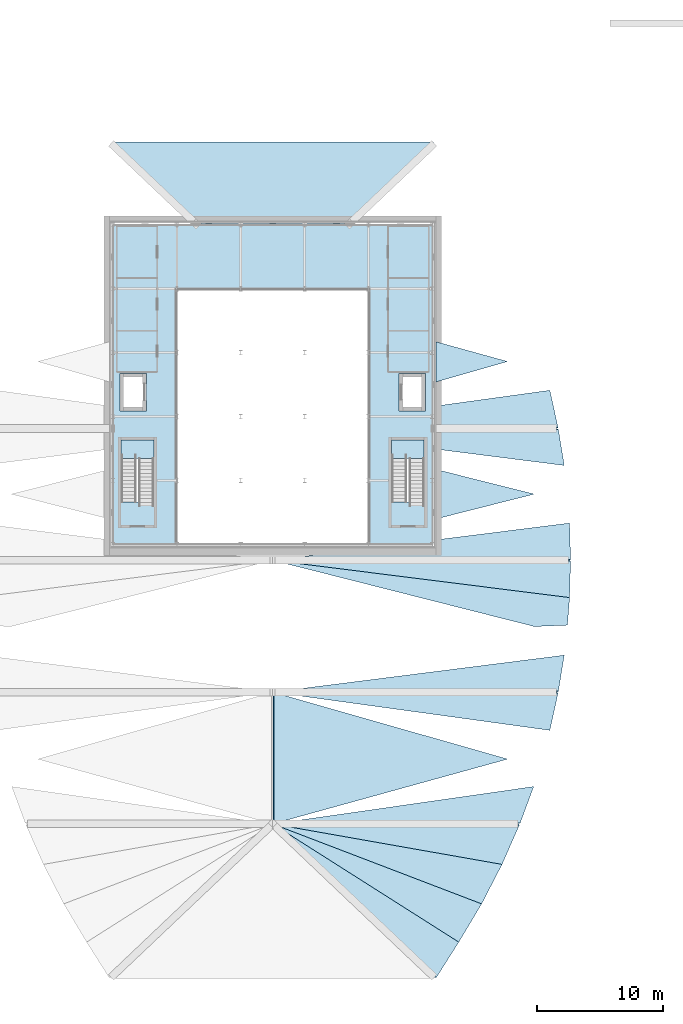
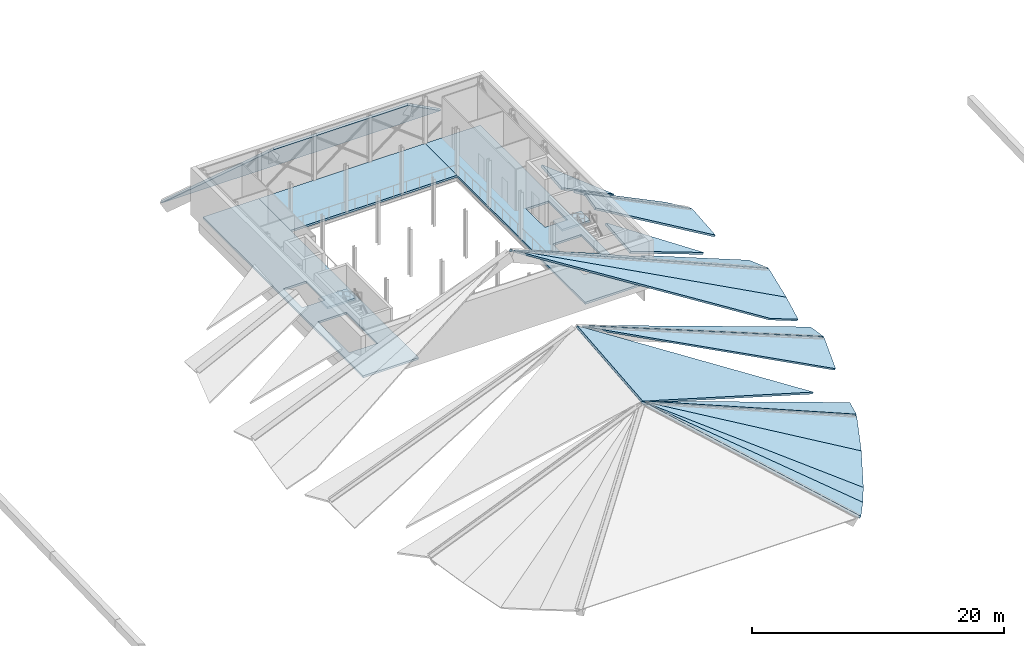
# One storey, part 4 of 7: 21 slabs, 2 elements without a shape of their own.
"""IFC4 building model written with IfcOpenShell, lengths in metres."""

from ifc_helpers import new_model, si_unit, direction, frame, origin, place, context, subcontext, project, spatial, polyline, outline, extrude, material, layer, layer_set, type_object, element, aggregate, save


model = new_model("IFC4")

# Units and contexts
model_context = context("Model", 3, precision=1e-05, world=origin(), true_north=direction((0.0, 1.0)))
body_context = subcontext(model_context, "Body", "Model", "MODEL_VIEW")
ifc_project = project(units=[si_unit("LENGTHUNIT", "METRE"), si_unit("AREAUNIT", "SQUARE_METRE"), si_unit("VOLUMEUNIT", "CUBIC_METRE"), si_unit("PLANEANGLEUNIT", "RADIAN"), si_unit("MASSUNIT", "GRAM", prefix="KILO")], contexts=[model_context])

# Site, building, storey
site_placement = place(None, origin())
site = spatial("IfcSite", under=ifc_project, at=site_placement, CompositionType="ELEMENT")
building_placement = place(site_placement, origin())
building = spatial("IfcBuilding", under=site, at=building_placement, Name="Tide Square Theatres", CompositionType="ELEMENT")
storey_placement = place(building_placement, frame((0.0, 0.0, 19.39990234375)))
storey = spatial("IfcBuildingStorey", under=building, at=storey_placement, Name="L04", CompositionType="ELEMENT", Elevation=19.39990234375)

# Slabs
ifc_material_1 = material(Name="Concrete C35", Category="concrete")
ifc_layer_1 = layer(ifc_material_1, 0.199951171875)
ifc_layer_set_1 = layer_set([ifc_layer_1], Name="Concrete C35")
slab_type_1 = type_object("IfcSlabType", Name="RC floor slab 200", PredefinedType="FLOOR", material=ifc_layer_set_1)
slab_1_placement = place(storey_placement, frame((0.0, 0.0, -0.199951171875)))
element("IfcSlab", 1, at=slab_1_placement, inside=storey, type_object=slab_type_1, Name="Fly gallery floor", PredefinedType="FLOOR", context=body_context, shape_type="SweptSolid", body=[
    extrude(outline(polyline([(76.365478515625, 56.27587890625), (76.365478515625, 81.72412109375), (71.27587890625, 81.72412109375), (71.27587890625, 56.27587890625), (76.365478515625, 56.27587890625)]), holes=[polyline([(71.926025390625, 59.631103515625), (74.52587890625, 59.631103515625), (74.52587890625, 64.575927734375), (71.926025390625, 64.575927734375), (71.926025390625, 59.631103515625)]), polyline([(71.825927734375, 66.89990234375), (73.926025390625, 66.89990234375), (73.926025390625, 69.89990234375), (71.825927734375, 69.89990234375), (71.825927734375, 66.89990234375)])]), origin(), (0.0, 0.0, 1.0), 0.199951171875),
])
slab_2_placement = place(storey_placement, frame((0.0, 0.0, -0.199951171875)))
element("IfcSlab", 2, at=slab_2_placement, inside=storey, type_object=slab_type_1, Name="Fly gallery floor", PredefinedType="FLOOR", context=body_context, shape_type="SweptSolid", body=[
    extrude(outline(polyline([(96.72412109375, 56.27587890625), (96.72412109375, 81.72412109375), (91.634521484375, 81.72412109375), (91.634521484375, 56.27587890625), (96.72412109375, 56.27587890625)]), holes=[polyline([(93.47412109375, 59.631103515625), (96.073974609375, 59.631103515625), (96.073974609375, 64.575927734375), (93.47412109375, 64.575927734375), (93.47412109375, 59.631103515625)]), polyline([(94.073974609375, 66.89990234375), (96.174072265625, 66.89990234375), (96.174072265625, 69.89990234375), (94.073974609375, 69.89990234375), (94.073974609375, 66.89990234375)])]), origin(), (0.0, 0.0, 1.0), 0.199951171875),
])
slab_3_placement = place(storey_placement, frame((0.0, 0.0, -0.199951171875)))
element("IfcSlab", 3, at=slab_3_placement, inside=storey, type_object=slab_type_1, Name="Fly gallery floor", PredefinedType="FLOOR", context=body_context, shape_type="SweptSolid", body=[
    extrude(outline(polyline([(91.634521484375, 76.634521484375), (91.634521484375, 81.72412109375), (76.365478515625, 81.72412109375), (76.365478515625, 76.634521484375), (91.634521484375, 76.634521484375)])), origin(), (0.0, 0.0, 1.0), 0.199951171875),
])

# Stair, slab
ifc_material_2 = material(Name="Concrete C35", Category="concrete")
stair_type = type_object("IfcStairType", Name="Stair half turn 1200 wide, 28 risers, rise 4600", PredefinedType="HALF_TURN_STAIR", material=ifc_material_2)
stair_1_placement = place(storey_placement, origin())
stair_1 = element("IfcStair", 4, at=stair_1_placement, inside=storey, type_object=stair_type, Name="Fly Tower west stair", PredefinedType="HALF_TURN_STAIR")
ifc_material_3 = material(Name="Concrete C35", Category="concrete")
ifc_layer_2 = layer(ifc_material_3, 0.199951171875)
ifc_layer_set_2 = layer_set([ifc_layer_2], Name="Concrete C35")
slab_type_2 = type_object("IfcSlabType", Name="RC landing slab 200", PredefinedType="LANDING", material=ifc_layer_set_2)
slab_4_placement = place(storey_placement, frame((0.0, 0.0, 2.10009765625)))
slab_4 = element("IfcSlab", 5, at=slab_4_placement, type_object=slab_type_2, Name="ST-1200-4600 landing 1", PredefinedType="LANDING", context=body_context, shape_type="SweptSolid", body=[
    extrude(outline(polyline([(74.52587890625, 63.095947265625), (74.52587890625, 64.575927734375), (71.926025390625, 64.575927734375), (71.926025390625, 63.095947265625), (74.52587890625, 63.095947265625)])), origin(), (0.0, 0.0, 1.0), 0.199951171875),
])
aggregate(stair_1, [slab_4])

stair_2_placement = place(storey_placement, origin())
stair_2 = element("IfcStair", 6, at=stair_2_placement, inside=storey, type_object=stair_type, Name="Fly Tower east stair", PredefinedType="HALF_TURN_STAIR")
slab_5_placement = place(storey_placement, frame((0.0, 0.0, 2.10009765625)))
slab_5 = element("IfcSlab", 7, at=slab_5_placement, type_object=slab_type_2, Name="ST-1200-4600 landing 1", PredefinedType="LANDING", context=body_context, shape_type="SweptSolid", body=[
    extrude(outline(polyline([(96.073974609375, 63.095947265625), (96.073974609375, 64.575927734375), (93.47412109375, 64.575927734375), (93.47412109375, 63.095947265625), (96.073974609375, 63.095947265625)])), origin(), (0.0, 0.0, 1.0), 0.199951171875),
])
aggregate(stair_2, [slab_5])

# Slabs
ifc_material_4 = material(Name="Concrete C40", Category="concrete")
ifc_layer_3 = layer(ifc_material_4, 0.199951171875)
ifc_layer_set_3 = layer_set([ifc_layer_3], Name="Concrete C40")
slab_type_3 = type_object("IfcSlabType", Name="RC roof slab 200", PredefinedType="ROOF", material=ifc_layer_set_3)
slab_6_placement = place(storey_placement, frame((98.827392578125, 24.5791015625, -2.68896484375), z_axis=(0.516458120611, -0.031339705955, 0.85573876416), x_axis=(-0.746192294478, 0.473770284566, 0.467695175434)))
element("IfcSlab", 8, at=slab_6_placement, inside=storey, type_object=slab_type_3, Name="Roof plate main-P001", PredefinedType="ROOF", context=body_context, shape_type="SweptSolid", body=[
    extrude(outline(polyline([(0.0, 0.0), (19.370151003747246, -1.3322676295501878e-15), (0.45897840719274524, 3.4627438424021313), (0.0, 0.0)])), origin(), (0.0, 0.0, -1.0), 0.199951171875),
])
slab_7_placement = place(storey_placement, frame((100.648193359375, 27.62646484375, -3.740234375), z_axis=(0.522651099245, -0.018242786925, 0.852351470453), x_axis=(-0.807831115734, 0.308935487617, 0.501963896055)))
element("IfcSlab", 9, at=slab_7_placement, inside=storey, type_object=slab_type_3, Name="Roof plate main-P002", PredefinedType="ROOF", context=body_context, shape_type="SweptSolid", body=[
    extrude(outline(polyline([(0.0, 0.0), (20.60850719305168, 4.440892098500626e-16), (1.0571602151165775, 3.548142945234963), (0.0, 0.0)])), origin(), (0.0, 0.0, -1.0), 0.199951171875),
])
slab_8_placement = place(storey_placement, frame((102.271484375, 30.771484375, -2.665771484375), z_axis=(0.33756503383, -0.455634332895, 0.823679065306), x_axis=(-0.880961084366, 0.155333544486, 0.44696650634)))
element("IfcSlab", 10, at=slab_8_placement, inside=storey, type_object=slab_type_3, Name="Roof plate main-P003", PredefinedType="ROOF", context=body_context, shape_type="SweptSolid", body=[
    extrude(outline(polyline([(0.0, 0.0), (20.740398979306175, -8.881784197001252e-16), (0.46128025768733216, 3.669865474448751), (0.0, 0.0)])), origin(), (0.0, 0.0, -1.0), 0.199951171875),
])
slab_9_placement = place(storey_placement, frame((102.271484375, 30.771484375, -2.665771484375), z_axis=(0.346494661414, -0.431525841587, 0.832902693989), x_axis=(0.385344971605, 0.875008721819, 0.293034109958)))
element("IfcSlab", 11, at=slab_9_placement, inside=storey, type_object=slab_type_3, Name="Roof plate main-P004", PredefinedType="ROOF", context=body_context, shape_type="SweptSolid", body=[
    extrude(outline(polyline([(0.0, 0.0), (3.5783683494207312, 2.220446049250313e-16), (-1.4629496808048117, 20.103887655682), (0.0, 0.0)])), origin(), (0.0, 0.0, -1.0), 0.199951171875),
])
slab_10_placement = place(storey_placement, frame((104.796142578125, 36.976318359375, -2.60595703125), z_axis=(0.378482547857, 0.170470543501, 0.909775112193), x_axis=(-0.90657314227, -0.13003731571, 0.401516418392)))
element("IfcSlab", 12, at=slab_10_placement, inside=storey, type_object=slab_type_3, Name="Roof plate main-P005", PredefinedType="ROOF", context=body_context, shape_type="SweptSolid", body=[
    extrude(outline(polyline([(0.0, 0.0), (22.24233842858149, 4.440892098500626e-16), (1.7449116858644453, 2.7288917138213837), (0.0, 0.0)])), origin(), (0.0, 0.0, -1.0), 0.199951171875),
])
slab_11_placement = place(storey_placement, frame((106.083984375, 41.451171875, -2.496337890625), z_axis=(0.344381612865, -0.367478728895, 0.863921691203), x_axis=(0.20316962856, 0.927576546763, 0.31356634374)))
element("IfcSlab", 13, at=slab_11_placement, inside=storey, type_object=slab_type_3, Name="Roof plate main-P008", PredefinedType="ROOF", context=body_context, shape_type="SweptSolid", body=[
    extrude(outline(polyline([(0.0, 0.0), (3.200018078410223, 5.551115123125783e-17), (1.466545223983454, 23.808410539406268), (0.0, 0.0)])), origin(), (0.0, 0.0, -1.0), 0.199951171875),
])
slab_12_placement = place(storey_placement, frame((102.724609375, 39.161865234375, -2.199951171875), z_axis=(0.443055122096, -0.084788227224, 0.89247583458), x_axis=(-0.859001294289, 0.244739109503, 0.44968827502)))
element("IfcSlab", 14, at=slab_12_placement, inside=storey, type_object=slab_type_3, Name="Roof plate main-P009", PredefinedType="ROOF", context=body_context, shape_type="SweptSolid", body=[
    extrude(outline(polyline([(0.0, 0.0), (21.689829713591323, -6.106226635438361e-16), (18.685455017981752, 10.059409495159242), (0.0, 0.0)])), origin(), (0.0, 0.0, -1.0), 0.199951171875),
])
slab_13_placement = place(storey_placement, frame((107.231201171875, 47.443115234375, -2.472900390625), z_axis=(0.358660712603, 0.248692466583, 0.899730265302), x_axis=(-0.91128734058, -0.115583999156, 0.395216044763)))
element("IfcSlab", 15, at=slab_13_placement, inside=storey, type_object=slab_type_3, Name="Roof plate main-P010", PredefinedType="ROOF", context=body_context, shape_type="SweptSolid", body=[
    extrude(outline(polyline([(0.0, 0.0), (24.825103704374207, 0.0), (1.1448195241418828, 2.8461809111780574), (0.0, 0.0)])), origin(), (0.0, 0.0, -1.0), 0.199951171875),
])
slab_14_placement = place(storey_placement, frame((107.656982421875, 52.0302734375, -2.52880859375), z_axis=(0.368943706153, -0.32464943436, 0.870909459393), x_axis=(-0.899093426511, 0.112866270238, 0.422956517206)))
element("IfcSlab", 16, at=slab_14_placement, inside=storey, type_object=slab_type_3, Name="Roof plate main-P012", PredefinedType="ROOF", context=body_context, shape_type="SweptSolid", body=[
    extrude(outline(polyline([(0.0, 0.0), (26.312062775145456, -8.881784197001252e-16), (2.402099936482771, 2.745772218232487), (-0.40822330515236427, 2.2935933204399275), (0.0, 0.0)])), origin(), (0.0, 0.0, -1.0), 0.199951171875),
])
slab_15_placement = place(storey_placement, frame((107.656982421875, 52.0302734375, -2.52880859375), z_axis=(0.37318432824, -0.307454255176, 0.875331558971), x_axis=(0.024896666335, 0.946471031068, 0.321827194865)))
element("IfcSlab", 17, at=slab_15_placement, inside=storey, type_object=slab_type_3, Name="Roof plate main-P013", PredefinedType="ROOF", context=body_context, shape_type="SweptSolid", body=[
    extrude(outline(polyline([(0.0, 0.0), (3.0693272181795797, -1.1102230246251565e-16), (5.677067677581038, 25.106299631766145), (0.0, 0.0)])), origin(), (0.0, 0.0, -1.0), 0.199951171875),
])
slab_16_placement = place(storey_placement, frame((107.656982421875, 57.9697265625, -2.52880859375), z_axis=(0.373195428496, 0.307402556096, 0.875344983795), x_axis=(-0.899091380681, -0.112874587159, 0.422958646631)))
element("IfcSlab", 18, at=slab_16_placement, inside=storey, type_object=slab_type_3, Name="Roof plate main-P015", PredefinedType="ROOF", context=body_context, shape_type="SweptSolid", body=[
    extrude(outline(polyline([(0.0, 0.0), (11.853087501044513, 2.220446049250313e-16), (12.018270323640742, 0.6489849547608444), (17.45178974488151, -6.280427078730888e-05), (25.740151096351735, -0.0003889501724985145), (0.6769945787882772, 2.9937347720791716), (0.0, 0.0)])), origin(), (0.0, 0.0, -1.0), 0.199951171875),
])
slab_17_placement = place(storey_placement, frame((107.231201171875, 62.556884765625, -2.73583984375), z_axis=(0.43428203643, -0.225954628537, 0.871976845264), x_axis=(-0.152428150012, 0.935632953674, 0.318365568305)))
element("IfcSlab", 19, at=slab_17_placement, inside=storey, type_object=slab_type_3, Name="Roof plate main-P019", PredefinedType="ROOF", context=body_context, shape_type="SweptSolid", body=[
    extrude(outline(polyline([(0.0, 0.0), (3.065753074689597, 0.0), (6.10219457687335, 10.476680505693242), (4.5029324122478505, 10.751289887073648), (0.0, 0.0)])), origin(), (0.0, 0.0, -1.0), 0.199951171875),
])
slab_18_placement = place(storey_placement, frame((104.850341796875, 60.277099609375, -2.199951171875), z_axis=(0.474881165467, -0.083240196125, 0.876104416399), x_axis=(-0.850326495067, 0.213143571769, 0.481159713194)))
element("IfcSlab", 20, at=slab_18_placement, inside=storey, type_object=slab_type_3, Name="Roof plate main-P020", PredefinedType="ROOF", context=body_context, shape_type="SweptSolid", body=[
    extrude(outline(polyline([(0.0, 0.0), (9.232150053441536, -5.551115123125783e-17), (8.208467344915404, 3.838232587715771), (0.0, 0.0)])), origin(), (0.0, 0.0, -1.0), 0.199951171875),
])
slab_19_placement = place(storey_placement, frame((106.083984375, 68.548828125, -2.764404296875), z_axis=(0.413822604976, 0.371998378315, 0.830883901723), x_axis=(-0.866333828241, -0.119469627167, 0.484966706311)))
element("IfcSlab", 21, at=slab_19_placement, inside=storey, type_object=slab_type_3, Name="Roof plate main-P022", PredefinedType="ROOF", context=body_context, shape_type="SweptSolid", body=[
    extrude(outline(polyline([(0.0, 0.0), (10.48557599217067, -2.220446049250313e-16), (11.062668403361387, 1.7877338570932446), (0.2788027736790597, 3.1873519936718773), (0.0, 0.0)])), origin(), (0.0, 0.0, -1.0), 0.199951171875),
])
slab_20_placement = place(storey_placement, frame((102.724609375, 70.838134765625, -2.199951171875), z_axis=(0.547457732988, -0.079172025456, 0.833079720661), x_axis=(-0.804981252448, 0.222221240494, 0.55011171909)))
element("IfcSlab", 22, at=slab_20_placement, inside=storey, type_object=slab_type_3, Name="Roof plate main-P026", PredefinedType="ROOF", context=body_context, shape_type="SweptSolid", body=[
    extrude(outline(polyline([(0.0, 0.0), (7.111481612261325, 0.0), (6.230008070982818, 3.1028735363489344), (0.0, 0.0)])), origin(), (0.0, 0.0, -1.0), 0.199951171875),
])
slab_21_placement = place(storey_placement, frame((96.822998046875, 88.32421875, -2.413818359375), z_axis=(0.0, 0.726152122349, 0.687534068399), x_axis=(-1.0, 0.0, 0.0)))
element("IfcSlab", 23, at=slab_21_placement, inside=storey, type_object=slab_type_3, Name="Roof plate main-P062", PredefinedType="ROOF", context=body_context, shape_type="SweptSolid", body=[
    extrude(outline(polyline([(0.0, 0.0), (25.64599609375, 0.0), (18.979736328125, 9.198407818147137), (6.666259765625, 9.198407818147137), (0.0, 0.0)])), origin(), (0.0, 0.0, -1.0), 0.199951171875),
])

save(model, "model.ifc")
